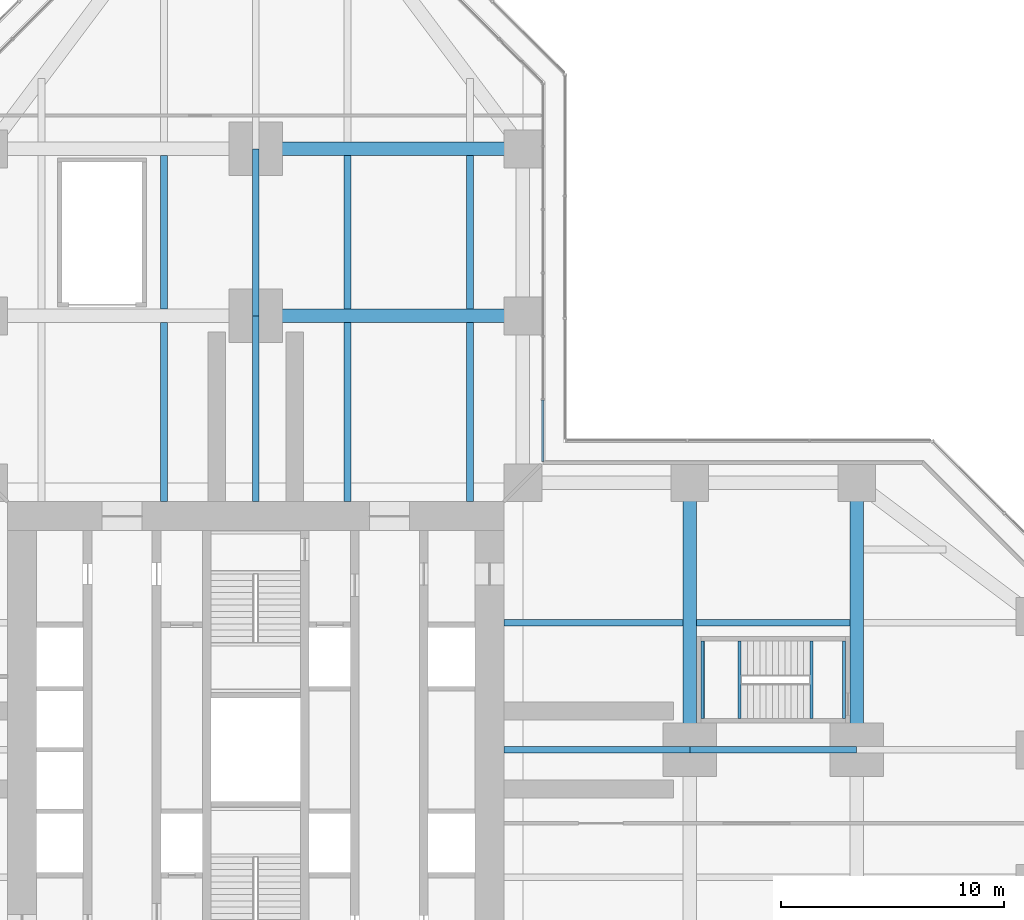
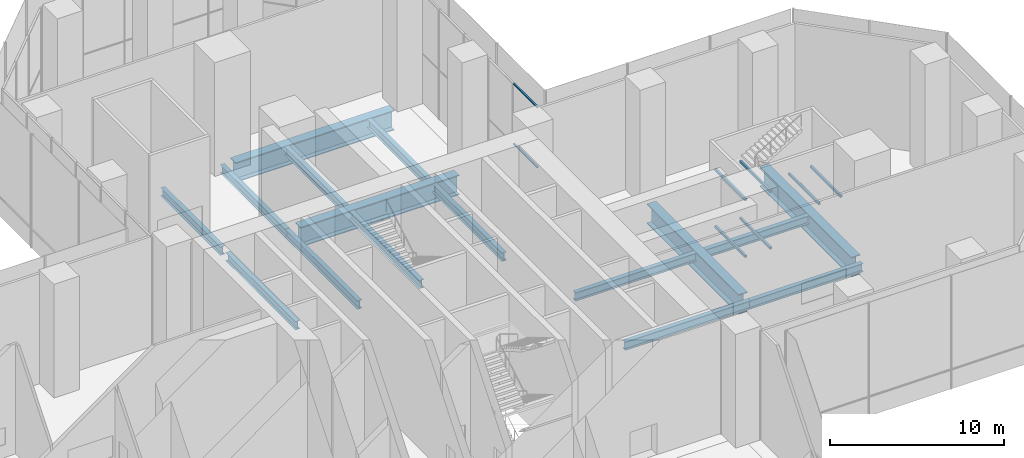
# One storey, part 9 of 25: 22 beams, 2 members, 1 element without a shape of its own.
"""IFC4 building model written with IfcOpenShell, lengths in metres."""

from ifc_helpers import new_model, si_unit, direction, frame, origin, origin_2d, place, context, subcontext, project, spatial, rectangle, hollow_rectangle, i_section, extrude, material, material_profile, profile_set, type_object, element, aggregate, save


model = new_model("IFC4")

# Units and contexts
model_context = context("Model", 3, precision=1e-05, world=origin(), true_north=direction((0.0, 1.0)))
body_context = subcontext(model_context, "Body", "Model", "MODEL_VIEW")
ifc_project = project(units=[si_unit("LENGTHUNIT", "METRE"), si_unit("AREAUNIT", "SQUARE_METRE"), si_unit("VOLUMEUNIT", "CUBIC_METRE"), si_unit("PLANEANGLEUNIT", "RADIAN"), si_unit("MASSUNIT", "GRAM", prefix="KILO")], contexts=[model_context])

# Site, building, storey
site_placement = place(None, origin())
site = spatial("IfcSite", under=ifc_project, at=site_placement, CompositionType="ELEMENT")
building_placement = place(site_placement, origin())
building = spatial("IfcBuilding", under=site, at=building_placement, Name="Mizan Broadcast Tower", CompositionType="ELEMENT")
storey_placement = place(building_placement, frame((0.0, 0.0, 15.0)))
storey = spatial("IfcBuildingStorey", under=building, at=storey_placement, Name="L02", CompositionType="ELEMENT", Elevation=15.0)

# Beams
ifc_material_1 = material(Name="Steel S460", Category="steel")
ifc_material_profile_1 = material_profile(ifc_material_1, i_section(OverallWidth=0.60009765625, OverallDepth=1.39990234375, WebThickness=0.02490234375, FlangeThickness=0.06005859375, at=origin_2d()), Name="WPG 1400x600")
ifc_profile_set_1 = profile_set([ifc_material_profile_1], Name="Steel S460")
beam_type_1 = type_object("IfcBeamType", Name="GIRDER WPG 1400x600", PredefinedType="BEAM", material=ifc_profile_set_1)
for number, where, z_axis, x_axis, name in (
    (1, (19.5, 0.719970703125, -0.949951171875), (0.0, 1.0, 0.0), (-1.0, 0.0, 0.0), "Girder WPG 1400x600 L02 east arm"),
    (2, (27.0, 0.719970703125, -0.949951171875), (0.0, 1.0, 0.0), (-1.0, 0.0, 0.0), "Girder WPG 1400x600 L02 east arm"),
    (3, (11.280029296875, 19.5, -0.949951171875), (-1.0, 0.0, 0.0), (0.0, -1.0, 0.0), "Girder WPG 1400x600 L02 north arm"),
    (4, (11.280029296875, 27.0, -0.949951171875), (-1.0, 0.0, 0.0), (0.0, -1.0, 0.0), "Girder WPG 1400x600 L02 north arm"),
):
    element("IfcBeam", number, at=place(storey_placement, frame(where, z_axis=z_axis, x_axis=x_axis)), inside=storey, type_object=beam_type_1, Name=name, PredefinedType="BEAM", context=body_context, shape_type="SweptSolid", body=[
        extrude(i_section(OverallWidth=0.60009765625, OverallDepth=1.39990234375, WebThickness=0.02490234375, FlangeThickness=0.06005859375, at=origin_2d()), origin(), (0.0, 0.0, 1.0), 10.56005859375),
    ])

# Curtain wall, members
ifc_material_2 = material(Name="Aluminium framed glazing", Category="aluminium")
curtain_wall_type = type_object("IfcCurtainWallType", Name="PODIUM CURTAIN WALL", PredefinedType="USERDEFINED", material=ifc_material_2)
curtain_wall_placement = place(storey_placement, origin())
curtain_wall = element("IfcCurtainWall", 5, at=curtain_wall_placement, inside=storey, type_object=curtain_wall_type, Name="Podium curtain wall L02 N side", ObjectType="PODIUM CURTAIN WALL", PredefinedType="USERDEFINED")
ifc_material_3 = material(Name="Aluminium, pale anodised", Category="aluminium")
ifc_material_profile_2 = material_profile(ifc_material_3, rectangle(XDim=0.1201171875, YDim=0.06005859375, at=origin_2d()), Name="TRANSOM 120x60")
ifc_profile_set_2 = profile_set([ifc_material_profile_2], Name="Aluminium, pale anodised")
member_type = type_object("IfcMemberType", Name="INNER SKIN TRANSOM 60x120", PredefinedType="USERDEFINED", material=ifc_profile_set_2)
member_1_placement = place(storey_placement, frame((12.89990234375, 12.9599609375, 3.5), z_axis=(0.0, 1.0, 0.0), x_axis=(-1.0, 0.0, 0.0)))
member_1 = element("IfcMember", 6, at=member_1_placement, type_object=member_type, Name="Podium curtain wall L02 N side transom 1.1", ObjectType="TRANSOM", PredefinedType="USERDEFINED", context=body_context, shape_type="SweptSolid", body=[
    extrude(rectangle(XDim=0.1201171875, YDim=0.06005859375, at=origin_2d()), origin(), (0.0, 0.0, 1.0), 2.753173828125),
])
member_2_placement = place(storey_placement, frame((12.89990234375, 12.9599609375, 7.719970703125), z_axis=(0.0, 1.0, 0.0), x_axis=(-1.0, 0.0, 0.0)))
member_2 = element("IfcMember", 7, at=member_2_placement, type_object=member_type, Name="Podium curtain wall L02 N side transom 1.2", ObjectType="TRANSOM", PredefinedType="USERDEFINED", context=body_context, shape_type="SweptSolid", body=[
    extrude(rectangle(XDim=0.1201171875, YDim=0.06005859375, at=origin_2d()), origin(), (0.0, 0.0, 1.0), 2.753173828125),
])
aggregate(curtain_wall, [member_1, member_2])

# Beams
ifc_material_4 = material(Name="Steel S355", Category="steel")
ifc_material_profile_3 = material_profile(ifc_material_4, hollow_rectangle(XDim=0.14990234375, YDim=0.14990234375, WallThickness=0.008056640625, InnerFilletRadius=0.008056640625, OuterFilletRadius=0.011962890625, at=origin_2d()), Name="SHS 150x150x8")
ifc_profile_set_3 = profile_set([ifc_material_profile_3], Name="Steel S355")
beam_type_2 = type_object("IfcBeamType", Name="LANDING TRIMMER SHS 150x150x8", PredefinedType="BEAM", material=ifc_profile_set_3)
for number, where, z_axis, x_axis, name in (
    (8, (21.735107421875, 1.39990234375, 1.72509765625), (0.0, 1.0, 0.0), (-1.0, 0.0, 0.0), "Stair C landing trimmer L02"),
    (9, (20.074951171875, 1.39990234375, 1.72509765625), (0.0, 1.0, 0.0), (-1.0, 0.0, 0.0), "Stair C landing trimmer L02"),
    (10, (26.425048828125, 1.39990234375, 3.72509765625), (0.0, 1.0, 0.0), (-1.0, 0.0, 0.0), "Stair C landing trimmer L02"),
    (11, (24.965087890625, 1.39990234375, 3.72509765625), (0.0, 1.0, 0.0), (-1.0, 0.0, 0.0), "Stair C landing trimmer L02"),
    (12, (21.735107421875, 1.39990234375, 5.72509765625), (0.0, 1.0, 0.0), (-1.0, 0.0, 0.0), "Stair C landing trimmer L02"),
    (13, (20.074951171875, 1.39990234375, 5.72509765625), (0.0, 1.0, 0.0), (-1.0, 0.0, 0.0), "Stair C landing trimmer L02"),
):
    element("IfcBeam", number, at=place(storey_placement, frame(where, z_axis=z_axis, x_axis=x_axis)), inside=storey, type_object=beam_type_2, Name=name, PredefinedType="BEAM", context=body_context, shape_type="SweptSolid", body=[
        extrude(hollow_rectangle(XDim=0.14990234375, YDim=0.14990234375, WallThickness=0.008056640625, InnerFilletRadius=0.008056640625, OuterFilletRadius=0.011962890625, at=origin_2d()), origin(), (0.0, 0.0, 1.0), 3.5),
    ])
ifc_material_5 = material(Name="Steel S355", Category="steel")
ifc_material_profile_4 = material_profile(ifc_material_5, i_section(OverallWidth=0.300048828125, OverallDepth=0.590087890625, WebThickness=0.012939453125, FlangeThickness=0.02490234375, FilletRadius=0.027099609375, at=origin_2d()), Name="HEA 600")
ifc_profile_set_4 = profile_set([ifc_material_profile_4], Name="Steel S355")
beam_type_3 = type_object("IfcBeamType", Name="SECONDARY BEAM HEA 600", PredefinedType="JOIST", material=ifc_profile_set_4)
beam_1_placement = place(storey_placement, frame((11.14990234375, 0.0, -0.544921875), z_axis=(1.0, 0.0, 0.0), x_axis=(0.0, 1.0, 0.0)))
element("IfcBeam", 14, at=beam_1_placement, inside=storey, type_object=beam_type_3, Name="Secondary beam HEA 600 L02 east arm", PredefinedType="JOIST", context=body_context, shape_type="SweptSolid", body=[
    extrude(i_section(OverallWidth=0.300048828125, OverallDepth=0.590087890625, WebThickness=0.012939453125, FlangeThickness=0.02490234375, FilletRadius=0.027099609375, at=origin_2d()), origin(), (0.0, 0.0, 1.0), 8.35009765625),
])
beam_2_placement = place(storey_placement, frame((19.5, 0.0, -0.544921875), z_axis=(1.0, 0.0, 0.0), x_axis=(0.0, 1.0, 0.0)))
element("IfcBeam", 15, at=beam_2_placement, inside=storey, type_object=beam_type_3, Name="Secondary beam HEA 600 L02 east arm", PredefinedType="JOIST", context=body_context, shape_type="SweptSolid", body=[
    extrude(i_section(OverallWidth=0.300048828125, OverallDepth=0.590087890625, WebThickness=0.012939453125, FlangeThickness=0.02490234375, FilletRadius=0.027099609375, at=origin_2d()), origin(), (0.0, 0.0, 1.0), 7.5),
])
beam_3_placement = place(storey_placement, frame((11.14990234375, 5.71435546875, -0.544921875), z_axis=(1.0, 0.0, 0.0), x_axis=(0.0, 1.0, 0.0)))
element("IfcBeam", 16, at=beam_3_placement, inside=storey, type_object=beam_type_3, Name="Secondary beam HEA 600 L02 east arm", PredefinedType="JOIST", context=body_context, shape_type="SweptSolid", body=[
    extrude(i_section(OverallWidth=0.300048828125, OverallDepth=0.590087890625, WebThickness=0.012939453125, FlangeThickness=0.02490234375, FilletRadius=0.027099609375, at=origin_2d()), origin(), (0.0, 0.0, 1.0), 8.050048828125),
])
beam_4_placement = place(storey_placement, frame((19.800048828125, 5.71435546875, -0.544921875), z_axis=(1.0, 0.0, 0.0), x_axis=(0.0, 1.0, 0.0)))
element("IfcBeam", 17, at=beam_4_placement, inside=storey, type_object=beam_type_3, Name="Secondary beam HEA 600 L02 east arm", PredefinedType="JOIST", context=body_context, shape_type="SweptSolid", body=[
    extrude(i_section(OverallWidth=0.300048828125, OverallDepth=0.590087890625, WebThickness=0.012939453125, FlangeThickness=0.02490234375, FilletRadius=0.027099609375, at=origin_2d()), origin(), (0.0, 0.0, 1.0), 6.89990234375),
])
beam_5_placement = place(storey_placement, frame((9.625, 11.14990234375, -0.544921875), z_axis=(0.0, 1.0, 0.0), x_axis=(-1.0, 0.0, 0.0)))
element("IfcBeam", 18, at=beam_5_placement, inside=storey, type_object=beam_type_3, Name="Secondary beam HEA 600 L02 north arm", PredefinedType="JOIST", context=body_context, shape_type="SweptSolid", body=[
    extrude(i_section(OverallWidth=0.300048828125, OverallDepth=0.590087890625, WebThickness=0.012939453125, FlangeThickness=0.02490234375, FilletRadius=0.027099609375, at=origin_2d()), origin(), (0.0, 0.0, 1.0), 8.050048828125),
])
beam_6_placement = place(storey_placement, frame((9.625, 19.800048828125, -0.544921875), z_axis=(0.0, 1.0, 0.0), x_axis=(-1.0, 0.0, 0.0)))
element("IfcBeam", 19, at=beam_6_placement, inside=storey, type_object=beam_type_3, Name="Secondary beam HEA 600 L02 north arm", PredefinedType="JOIST", context=body_context, shape_type="SweptSolid", body=[
    extrude(i_section(OverallWidth=0.300048828125, OverallDepth=0.590087890625, WebThickness=0.012939453125, FlangeThickness=0.02490234375, FilletRadius=0.027099609375, at=origin_2d()), origin(), (0.0, 0.0, 1.0), 6.89990234375),
])
beam_7_placement = place(storey_placement, frame((4.125, 11.14990234375, -0.544921875), z_axis=(0.0, 1.0, 0.0), x_axis=(-1.0, 0.0, 0.0)))
element("IfcBeam", 20, at=beam_7_placement, inside=storey, type_object=beam_type_3, Name="Secondary beam HEA 600 L02 north arm", PredefinedType="JOIST", context=body_context, shape_type="SweptSolid", body=[
    extrude(i_section(OverallWidth=0.300048828125, OverallDepth=0.590087890625, WebThickness=0.012939453125, FlangeThickness=0.02490234375, FilletRadius=0.027099609375, at=origin_2d()), origin(), (0.0, 0.0, 1.0), 8.050048828125),
])
beam_8_placement = place(storey_placement, frame((4.125, 19.800048828125, -0.544921875), z_axis=(0.0, 1.0, 0.0), x_axis=(-1.0, 0.0, 0.0)))
element("IfcBeam", 21, at=beam_8_placement, inside=storey, type_object=beam_type_3, Name="Secondary beam HEA 600 L02 north arm", PredefinedType="JOIST", context=body_context, shape_type="SweptSolid", body=[
    extrude(i_section(OverallWidth=0.300048828125, OverallDepth=0.590087890625, WebThickness=0.012939453125, FlangeThickness=0.02490234375, FilletRadius=0.027099609375, at=origin_2d()), origin(), (0.0, 0.0, 1.0), 6.89990234375),
])
beam_9_placement = place(storey_placement, frame((0.0, 11.14990234375, -0.544921875), z_axis=(0.0, 1.0, 0.0), x_axis=(-1.0, 0.0, 0.0)))
element("IfcBeam", 22, at=beam_9_placement, inside=storey, type_object=beam_type_3, Name="Secondary beam HEA 600 L02 north arm", PredefinedType="JOIST", context=body_context, shape_type="SweptSolid", body=[
    extrude(i_section(OverallWidth=0.300048828125, OverallDepth=0.590087890625, WebThickness=0.012939453125, FlangeThickness=0.02490234375, FilletRadius=0.027099609375, at=origin_2d()), origin(), (0.0, 0.0, 1.0), 8.35009765625),
])
beam_10_placement = place(storey_placement, frame((0.0, 19.5, -0.544921875), z_axis=(0.0, 1.0, 0.0), x_axis=(-1.0, 0.0, 0.0)))
element("IfcBeam", 23, at=beam_10_placement, inside=storey, type_object=beam_type_3, Name="Secondary beam HEA 600 L02 north arm", PredefinedType="JOIST", context=body_context, shape_type="SweptSolid", body=[
    extrude(i_section(OverallWidth=0.300048828125, OverallDepth=0.590087890625, WebThickness=0.012939453125, FlangeThickness=0.02490234375, FilletRadius=0.027099609375, at=origin_2d()), origin(), (0.0, 0.0, 1.0), 7.5),
])
beam_11_placement = place(storey_placement, frame((-4.125, 11.14990234375, -0.544921875), z_axis=(0.0, 1.0, 0.0), x_axis=(-1.0, 0.0, 0.0)))
element("IfcBeam", 24, at=beam_11_placement, inside=storey, type_object=beam_type_3, Name="Secondary beam HEA 600 L02 north arm", PredefinedType="JOIST", context=body_context, shape_type="SweptSolid", body=[
    extrude(i_section(OverallWidth=0.300048828125, OverallDepth=0.590087890625, WebThickness=0.012939453125, FlangeThickness=0.02490234375, FilletRadius=0.027099609375, at=origin_2d()), origin(), (0.0, 0.0, 1.0), 8.050048828125),
])
beam_12_placement = place(storey_placement, frame((-4.125, 19.800048828125, -0.544921875), z_axis=(0.0, 1.0, 0.0), x_axis=(-1.0, 0.0, 0.0)))
element("IfcBeam", 25, at=beam_12_placement, inside=storey, type_object=beam_type_3, Name="Secondary beam HEA 600 L02 north arm", PredefinedType="JOIST", context=body_context, shape_type="SweptSolid", body=[
    extrude(i_section(OverallWidth=0.300048828125, OverallDepth=0.590087890625, WebThickness=0.012939453125, FlangeThickness=0.02490234375, FilletRadius=0.027099609375, at=origin_2d()), origin(), (0.0, 0.0, 1.0), 6.89990234375),
])

save(model, "model.ifc")
